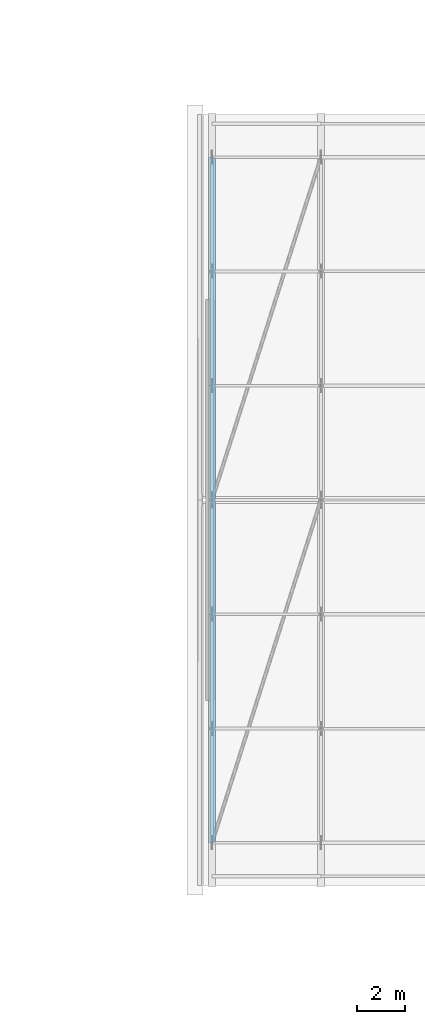
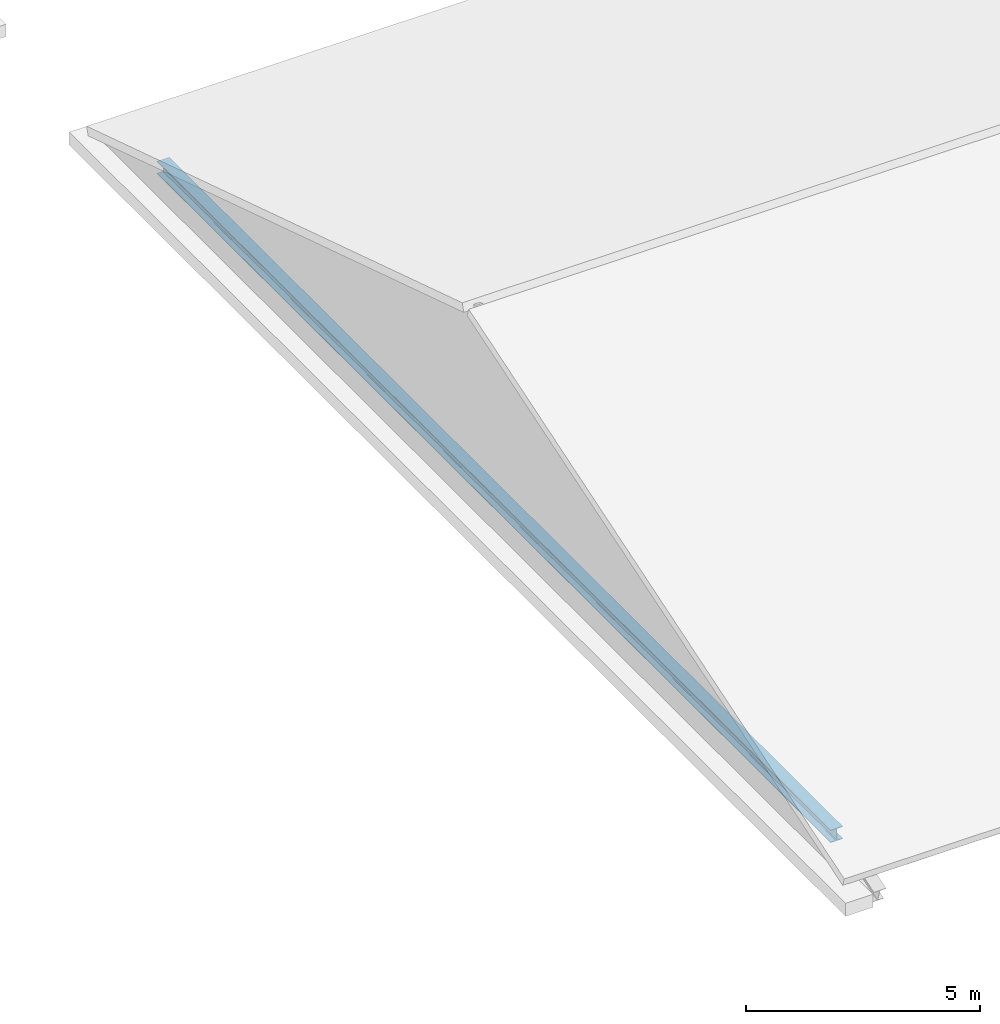
# One storey, part 22 of 134: 1 member.
"""IFC4 building model written with IfcOpenShell, lengths in metres."""

from ifc_helpers import new_model, si_unit, direction, frame, origin, origin_2d, place, context, subcontext, project, spatial, i_section, extrude, material, material_profile, profile_set, type_object, element, save


model = new_model("IFC4")

# Units and contexts
model_context = context("Model", 3, precision=1e-05, world=origin(), true_north=direction((0.0, 1.0)))
body_context = subcontext(model_context, "Body", "Model", "MODEL_VIEW")
ifc_project = project(units=[si_unit("LENGTHUNIT", "METRE"), si_unit("AREAUNIT", "SQUARE_METRE"), si_unit("VOLUMEUNIT", "CUBIC_METRE"), si_unit("PLANEANGLEUNIT", "RADIAN"), si_unit("MASSUNIT", "GRAM", prefix="KILO")], contexts=[model_context])

# Site, building, storey
site_placement = place(None, origin())
site = spatial("IfcSite", under=ifc_project, at=site_placement, CompositionType="ELEMENT")
building_placement = place(site_placement, origin())
building = spatial("IfcBuilding", under=site, at=building_placement, Name="Asteropetra Specialist Clinic", CompositionType="ELEMENT")
storey_placement = place(building_placement, frame((0.0, 0.0, 8.5)))
storey = spatial("IfcBuildingStorey", under=building, at=storey_placement, Name="L02", CompositionType="ELEMENT", Elevation=8.5)

# Member
ifc_material = material(Name="Steel S355", Category="steel")
ifc_material_profile = material_profile(ifc_material, i_section(OverallWidth=0.300048828125, OverallDepth=0.330078125, WebThickness=0.009521484375, FlangeThickness=0.0166015625, FilletRadius=0.027099609375, at=origin_2d()), Name="HEA 340")
ifc_profile_set = profile_set([ifc_material_profile], Name="Steel S355")
member_type = type_object("IfcMemberType", Name="TR-CHD-HEA340", PredefinedType="CHORD", material=ifc_profile_set)
member_placement = place(storey_placement, frame((77.25, 33.60009765625, 0.364990234375), z_axis=(0.0, 1.0, 0.0), x_axis=(-1.0, 0.0, 0.0)))
element("IfcMember", 1, at=member_placement, inside=storey, type_object=member_type, Name="Truss Bottom Chord TRV3-BC01", PredefinedType="CHORD", context=body_context, shape_type="SweptSolid", body=[
    extrude(i_section(OverallWidth=0.300048828125, OverallDepth=0.330078125, WebThickness=0.009521484375, FlangeThickness=0.0166015625, FilletRadius=0.027099609375, at=origin_2d()), origin(), (0.0, 0.0, 1.0), 28.7998046875),
])

save(model, "model.ifc")
